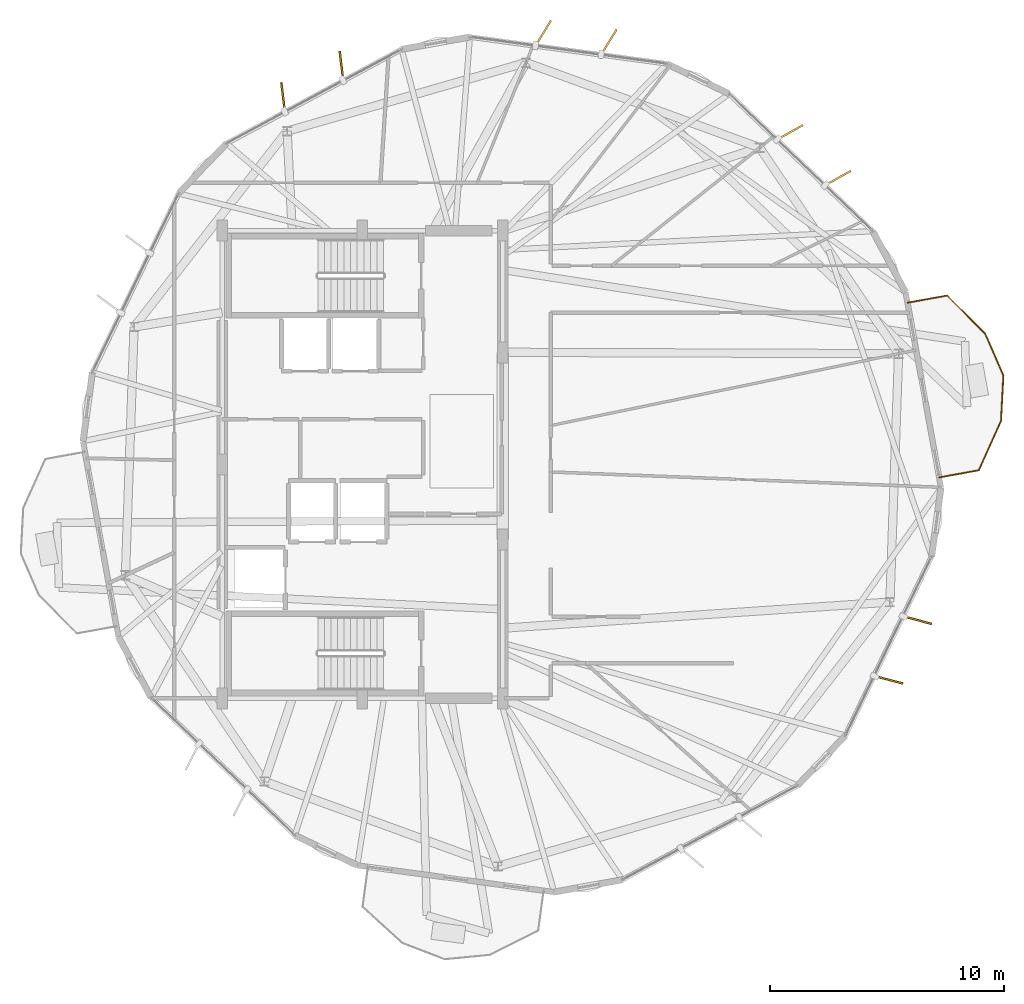
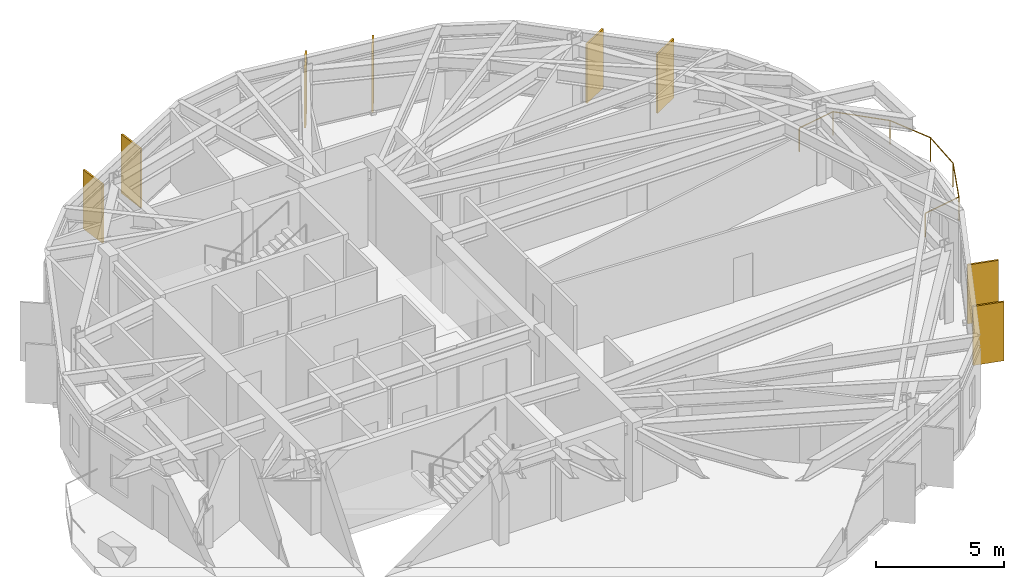
# One storey, part 26 of 26: 8 shading devices, 1 railing.
"""IFC4 building model written with IfcOpenShell, lengths in metres."""

from ifc_helpers import new_model, si_unit, direction, frame, origin, origin_2d, place, context, subcontext, project, spatial, rectangle, circle, extrude, material, layer, layer_set, type_object, element, save


model = new_model("IFC4")

# Units and contexts
model_context = context("Model", 3, precision=1e-05, world=origin(), true_north=direction((0.0, 1.0)))
body_context = subcontext(model_context, "Body", "Model", "MODEL_VIEW")
ifc_project = project(units=[si_unit("LENGTHUNIT", "METRE"), si_unit("AREAUNIT", "SQUARE_METRE"), si_unit("VOLUMEUNIT", "CUBIC_METRE"), si_unit("PLANEANGLEUNIT", "RADIAN"), si_unit("MASSUNIT", "GRAM", prefix="KILO")], contexts=[model_context])

# Site, building, storey
site_placement = place(None, origin())
site = spatial("IfcSite", under=ifc_project, at=site_placement, CompositionType="ELEMENT")
building_placement = place(site_placement, origin())
building = spatial("IfcBuilding", under=site, at=building_placement, Name="Soratama Intermodal Tower", CompositionType="ELEMENT")
storey_placement = place(building_placement, frame((0.0, 0.0, 268.75)))
storey = spatial("IfcBuildingStorey", under=building, at=storey_placement, Name="L68", CompositionType="ELEMENT", Elevation=268.75)

# Railing
ifc_material_1 = material(Name="Laminated glass and stainless steel balustrade", Category="steel")
railing_type = type_object("IfcRailingType", Name="RL-BAL-1150", PredefinedType="BALUSTRADE", material=ifc_material_1)
railing_placement = place(storey_placement, frame((61.9169921875, 31.923828125, 0.0)))
element("IfcRailing", 1, at=railing_placement, inside=storey, type_object=railing_type, Name="L68 Balcony Balustrade 1", PredefinedType="BALUSTRADE", context=body_context, shape_type="SweptSolid", body=[
    extrude(circle(Radius=0.02392578125, at=origin_2d()), frame((0.0, 0.0, 1.1259765625), z_axis=(0.984033007832, 0.177986065458, 0.0), x_axis=(-0.177986065458, 0.984033007832, 0.0)), (0.0, 0.0, 1.0), 1.719970703125),
    extrude(circle(Radius=0.02392578125, at=origin_2d()), frame((1.692626953125, 0.30615234375, 1.1259765625), z_axis=(0.705465493192, -0.708744268348, 0.0), x_axis=(0.708744268348, 0.705465493192, 0.0)), (0.0, 0.0, 1.0), 2.308349609375),
    extrude(circle(Radius=0.02392578125, at=origin_2d()), frame((3.321044921875, -1.329833984375, 1.1259765625), z_axis=(0.399677033684, -0.916656025315, 0.0), x_axis=(0.916656025315, 0.399677033684, 0.0)), (0.0, 0.0, 1.0), 1.9521484375),
    extrude(circle(Radius=0.02392578125, at=origin_2d()), frame((4.101318359375, -3.119384765625, 1.1259765625), z_axis=(-0.053024860817, -0.998593192514, 0.0), x_axis=(0.998593192514, -0.053024860817, 0.0)), (0.0, 0.0, 1.0), 1.9521484375),
    extrude(circle(Radius=0.02392578125, at=origin_2d()), frame((3.997802734375, -5.06884765625, 1.1259765625), z_axis=(-0.412272387955, -0.911060633619, 0.0), x_axis=(0.911060633619, -0.412272387955, 0.0)), (0.0, 0.0, 1.0), 2.308349609375),
    extrude(circle(Radius=0.02392578125, at=origin_2d()), frame((3.046142578125, -7.171875, 1.1259765625), z_axis=(-0.984003635705, -0.17814837894, 0.0), x_axis=(0.17814837894, -0.984003635705, 0.0)), (0.0, 0.0, 1.0), 1.719970703125),
    extrude(circle(Radius=0.02099609375, at=origin_2d()), origin(), (0.0, 0.0, 1.0), 1.101806640625),
    extrude(circle(Radius=0.02099609375, at=origin_2d()), frame((1.692626953125, 0.30615234375, 0.0)), (0.0, 0.0, 1.0), 1.101806640625),
    extrude(circle(Radius=0.02099609375, at=origin_2d()), frame((3.321044921875, -1.329833984375, 0.0)), (0.0, 0.0, 1.0), 1.101806640625),
    extrude(circle(Radius=0.02099609375, at=origin_2d()), frame((4.101318359375, -3.119384765625, 0.0)), (0.0, 0.0, 1.0), 1.101806640625),
    extrude(circle(Radius=0.02099609375, at=origin_2d()), frame((3.997802734375, -5.06884765625, 0.0)), (0.0, 0.0, 1.0), 1.101806640625),
    extrude(circle(Radius=0.02099609375, at=origin_2d()), frame((3.046142578125, -7.171875, 0.0)), (0.0, 0.0, 1.0), 1.101806640625),
    extrude(circle(Radius=0.02099609375, at=origin_2d()), frame((1.353759765625, -7.478271484375, 0.0)), (0.0, 0.0, 1.0), 1.101806640625),
])

# Shading devices
ifc_material_2 = material(Name="Champagne anodised aluminium solar fin", Category="aluminium")
ifc_layer = layer(ifc_material_2, 0.080078125)
ifc_layer_set = layer_set([ifc_layer], Name="Champagne anodised aluminium solar fin")
shading_device_type = type_object("IfcShadingDeviceType", Name="SH-FIN-1250", PredefinedType="USERDEFINED", material=ifc_layer_set)
for number, where, z_axis, x_axis, name in (
    (2, (49.148193359375, 43.076416015625, 0.02001953125), (0.0, 0.0, 1.0), (0.521605395695, 0.853186855959, 0.0), "L68 Solar Fin F01-1"),
    (3, (46.3408203125, 43.4580078125, 0.02001953125), (0.0, 0.0, 1.0), (0.521605395695, 0.853186855959, 0.0), "L68 Solar Fin F01-2"),
    (4, (37.704833984375, 42.059814453125, 0.02001953125), (0.0, 0.0, 1.0), (-0.119790293837, 0.992799217114, 0.0), "L68 Solar Fin F02-1"),
    (5, (35.209228515625, 40.71826171875, 0.02001953125), (0.0, 0.0, 1.0), (-0.119790293837, 0.992799217114, 0.0), "L68 Solar Fin F02-2"),
    (6, (61.114013671875, 15.793701171875, 0.02001953125), (0.0, 0.0, 1.0), (0.966644818229, -0.256120665687, 0.0), "L68 Solar Fin F08-1"),
    (7, (62.344482421875, 18.345947265625, 0.02001953125), (0.0, 0.0, 1.0), (0.966644818229, -0.256120665687, 0.0), "L68 Solar Fin F08-2"),
    (8, (58.947998046875, 37.254150390625, 0.02001953125), (0.0, 0.0, 1.0), (0.8721546725, 0.489230239495, 0.0), "L68 Solar Fin F10-1"),
    (9, (56.90087890625, 39.212890625, 0.02001953125), (0.0, 0.0, 1.0), (0.8721546725, 0.489230239495, 0.0), "L68 Solar Fin F10-2"),
):
    element("IfcShadingDevice", number, at=place(storey_placement, frame(where, z_axis=z_axis, x_axis=x_axis)), inside=storey, type_object=shading_device_type, Name=name, ObjectType="FIN", PredefinedType="USERDEFINED", context=body_context, shape_type="SweptSolid", body=[
        extrude(rectangle(XDim=1.25, YDim=0.080078125, at=origin_2d()), origin(), (0.0, 0.0, 1.0), 2.80908203125),
    ])

save(model, "model.ifc")
